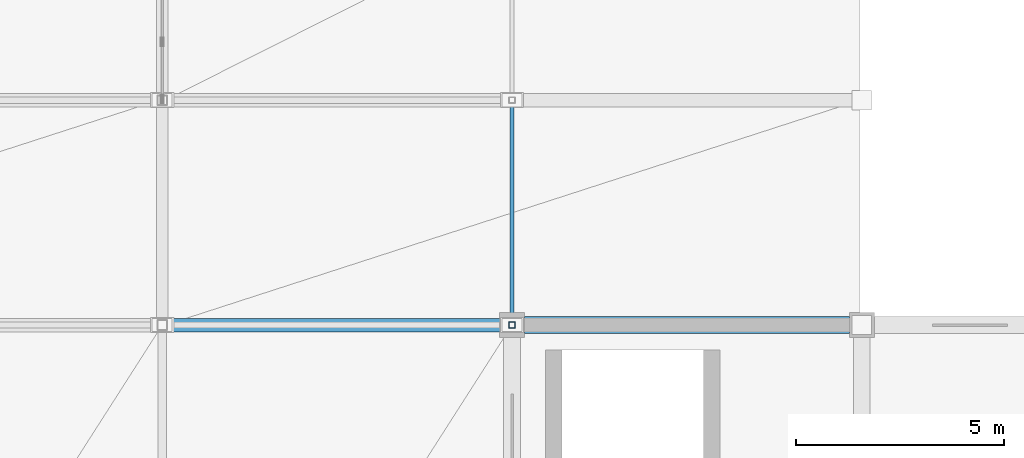
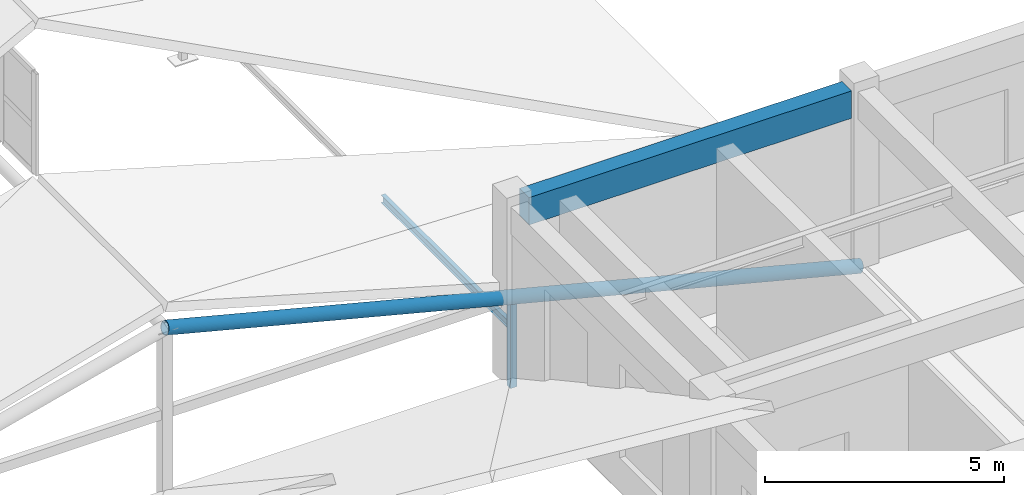
# One storey, part 19 of 76: 3 members, 1 beam.
"""IFC4 building model written with IfcOpenShell, lengths in metres."""

from ifc_helpers import new_model, si_unit, direction, frame, origin, origin_2d, place, context, subcontext, project, spatial, rectangle, hollow_rectangle, hollow_circle, i_section, extrude, material, material_profile, profile_set, type_object, element, save


model = new_model("IFC4")

# Units and contexts
model_context = context("Model", 3, precision=1e-05, world=origin(), true_north=direction((0.0, 1.0)))
body_context = subcontext(model_context, "Body", "Model", "MODEL_VIEW")
ifc_project = project(units=[si_unit("LENGTHUNIT", "METRE"), si_unit("AREAUNIT", "SQUARE_METRE"), si_unit("VOLUMEUNIT", "CUBIC_METRE"), si_unit("PLANEANGLEUNIT", "RADIAN"), si_unit("MASSUNIT", "GRAM", prefix="KILO")], contexts=[model_context])

# Site, building, storey
site_placement = place(None, origin())
site = spatial("IfcSite", under=ifc_project, at=site_placement, CompositionType="ELEMENT")
building_placement = place(site_placement, origin())
building = spatial("IfcBuilding", under=site, at=building_placement, Name="Krzemoval Escarpment Law Courts", CompositionType="ELEMENT")
storey_placement = place(building_placement, frame((0.0, 0.0, 20.39990234375)))
storey = spatial("IfcBuildingStorey", under=building, at=storey_placement, Name="L04", CompositionType="ELEMENT", Elevation=20.39990234375)

# Beam
ifc_material_1 = material(Name="Concrete C40/50", Category="concrete")
ifc_material_profile_1 = material_profile(ifc_material_1, rectangle(XDim=0.39990234375, YDim=0.699951171875, at=origin_2d()), Name="RCB 400x700")
ifc_profile_set_1 = profile_set([ifc_material_profile_1], Name="Concrete C40/50")
beam_type = type_object("IfcBeamType", Name="BM-RC-400x700", PredefinedType="BEAM", material=ifc_profile_set_1)
beam_placement = place(storey_placement, frame((33.89990234375, 35.39990234375, 4.2001953125), z_axis=(1.0, 0.0, 0.0), x_axis=(0.0, 1.0, 0.0)))
element("IfcBeam", 1, at=beam_placement, inside=storey, type_object=beam_type, Name="Beam FG-L04-2444", PredefinedType="BEAM", context=body_context, shape_type="SweptSolid", body=[
    extrude(rectangle(XDim=0.39990234375, YDim=0.699951171875, at=origin_2d()), origin(), (0.0, 0.0, 1.0), 7.800048828125),
])

# Members
ifc_material_2 = material(Name="Steel S355", Category="steel")
ifc_material_profile_2 = material_profile(ifc_material_2, hollow_circle(Radius=0.161865234375, WallThickness=0.01611328125, at=origin_2d()), Name="CHS 323.9x16")
ifc_profile_set_2 = profile_set([ifc_material_profile_2], Name="Steel S355")
member_type_1 = type_object("IfcMemberType", Name="MBR-CHD-CHS324", PredefinedType="CHORD", material=ifc_profile_set_2)
member_1_placement = place(storey_placement, frame((25.199951171875, 35.39990234375, 4.150146484375), z_axis=(0.96876999437, 0.0, -0.247961081639), x_axis=(0.0, 1.0, 0.0)))
element("IfcMember", 2, at=member_1_placement, inside=storey, type_object=member_type_1, Name="Roof Rafter Chord TC-0005", PredefinedType="CHORD", context=body_context, shape_type="SweptSolid", body=[
    extrude(hollow_circle(Radius=0.161865234375, WallThickness=0.01611328125, at=origin_2d()), origin(), (0.0, 0.0, 1.0), 17.341552734375),
])
ifc_material_3 = material(Name="Steel S355", Category="steel")
ifc_material_profile_3 = material_profile(ifc_material_3, i_section(OverallWidth=0.10009765625, OverallDepth=0.199951171875, WebThickness=0.005615234375, FlangeThickness=0.008544921875, at=origin_2d()), Name="IPE 200")
ifc_profile_set_3 = profile_set([ifc_material_profile_3], Name="Steel S355")
member_type_2 = type_object("IfcMemberType", Name="MBR-PUR-IPE200", PredefinedType="PURLIN", material=ifc_profile_set_3)
member_2_placement = place(storey_placement, frame((33.60009765625, 35.39990234375, 1.25), z_axis=(0.0, 1.0, 0.0), x_axis=(-1.0, 0.0, 0.0)))
element("IfcMember", 3, at=member_2_placement, inside=storey, type_object=member_type_2, Name="Roof Purlin PR-0057", PredefinedType="PURLIN", context=body_context, shape_type="SweptSolid", body=[
    extrude(i_section(OverallWidth=0.10009765625, OverallDepth=0.199951171875, WebThickness=0.005615234375, FlangeThickness=0.008544921875, at=origin_2d()), origin(), (0.0, 0.0, 1.0), 5.400146484375),
])
ifc_material_4 = material(Name="Steel S355", Category="steel")
ifc_material_profile_4 = material_profile(ifc_material_4, hollow_rectangle(XDim=0.14990234375, YDim=0.14990234375, WallThickness=0.008056640625, at=origin_2d()), Name="SHS 150x150x8")
ifc_profile_set_4 = profile_set([ifc_material_profile_4], Name="Steel S355")
member_type_3 = type_object("IfcMemberType", Name="MBR-STR-SHS150", PredefinedType="STRUT", material=ifc_profile_set_4)
member_3_placement = place(storey_placement, frame((33.60009765625, 35.39990234375, -0.27978515625), z_axis=(0.0, 0.0, 1.0), x_axis=(1.0, 0.0, 0.0)))
element("IfcMember", 4, at=member_3_placement, inside=storey, type_object=member_type_3, Name="Roof Truss Web Strut ST-0003", PredefinedType="STRUT", context=body_context, shape_type="SweptSolid", body=[
    extrude(hollow_rectangle(XDim=0.14990234375, YDim=0.14990234375, WallThickness=0.008056640625, at=origin_2d()), origin(), (0.0, 0.0, 1.0), 2.27978515625),
])

save(model, "model.ifc")
